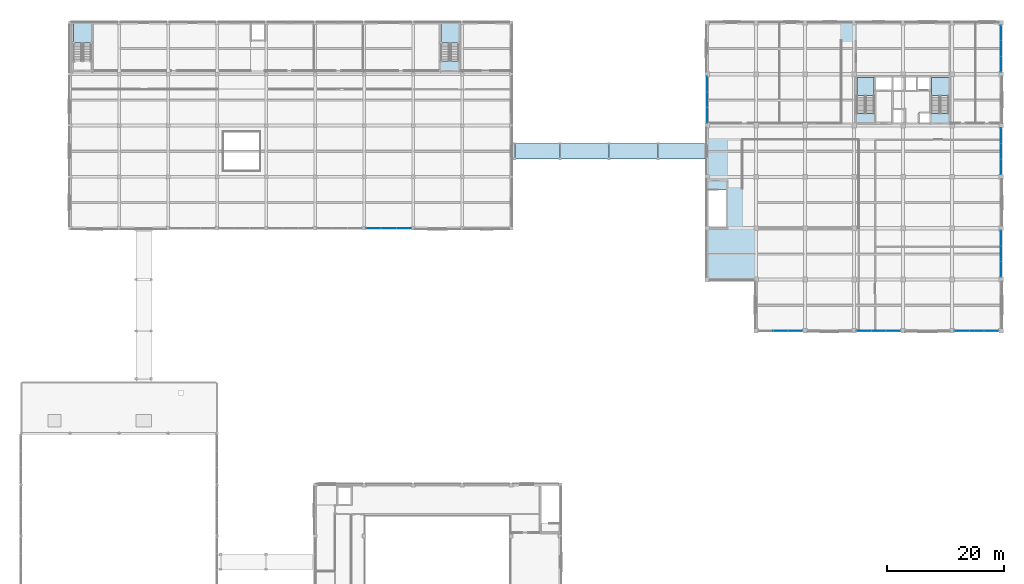
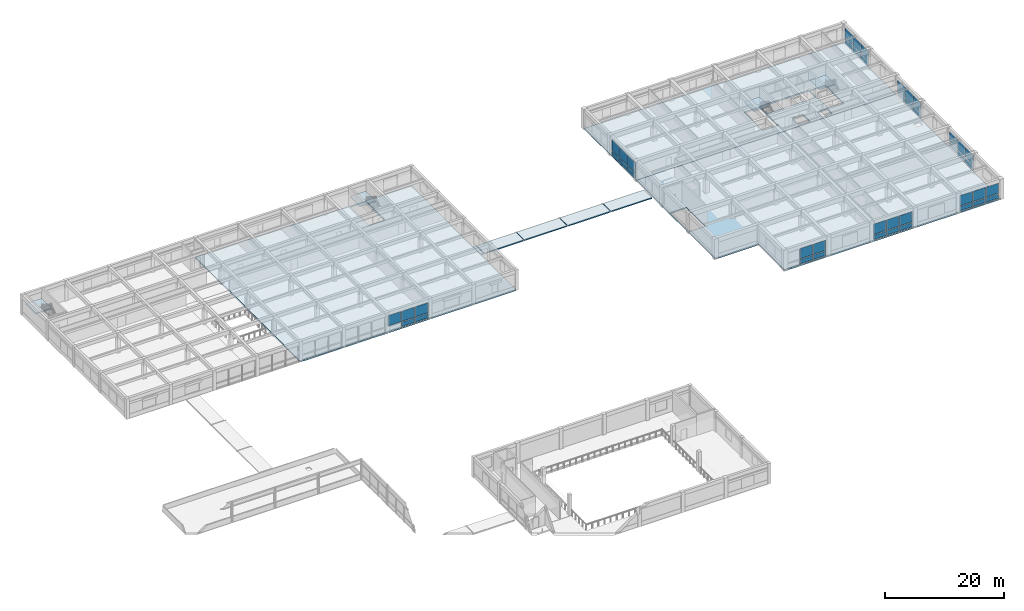
# One storey, part 27 of 46: 45 plates, 12 slabs, 12 elements without a shape of their own.
"""IFC4 building model written with IfcOpenShell, lengths in metres."""

from ifc_helpers import new_model, si_unit, direction, frame, origin, origin_2d, place, context, subcontext, project, spatial, polyline, rectangle, outline, extrude, material, layer, layer_set, type_object, element, aggregate, save


model = new_model("IFC4")

# Units and contexts
model_context = context("Model", 3, precision=1e-05, world=origin(), true_north=direction((0.0, 1.0)))
body_context = subcontext(model_context, "Body", "Model", "MODEL_VIEW")
ifc_project = project(units=[si_unit("LENGTHUNIT", "METRE"), si_unit("AREAUNIT", "SQUARE_METRE"), si_unit("VOLUMEUNIT", "CUBIC_METRE"), si_unit("PLANEANGLEUNIT", "RADIAN"), si_unit("MASSUNIT", "GRAM", prefix="KILO")], contexts=[model_context])

# Site, building, storey
site_placement = place(None, origin())
site = spatial("IfcSite", under=ifc_project, at=site_placement, CompositionType="ELEMENT")
building_placement = place(site_placement, origin())
building = spatial("IfcBuilding", under=site, at=building_placement, Name="Kemercrest Conservatory and Botanical Centre", CompositionType="ELEMENT")
storey_placement = place(building_placement, frame((0.0, 0.0, 9.0)))
storey = spatial("IfcBuildingStorey", under=building, at=storey_placement, Name="L02", CompositionType="ELEMENT", Elevation=9.0)

# Curtain wall, plates
ifc_material_1 = material(Name="Thermally broken aluminium and triple low-e glazing", Category="aluminium")
curtain_wall_type_1 = type_object("IfcCurtainWallType", Name="CW-12", PredefinedType="USERDEFINED", material=ifc_material_1)
curtain_wall_1_placement = place(storey_placement, origin())
curtain_wall_1 = element("IfcCurtainWall", 1, at=curtain_wall_1_placement, inside=storey, type_object=curtain_wall_type_1, Name="Unitised curtain wall CW-12 (CW:L02:V3-041)", ObjectType="UNITISED CURTAIN WALL", PredefinedType="USERDEFINED")
ifc_material_2 = material(Name="Triple low-e argon insulated glazing unit", Category="glass")
ifc_layer_1 = layer(ifc_material_2, 0.035888671875)
ifc_layer_set_1 = layer_set([ifc_layer_1], Name="Triple low-e argon insulated glazing unit")
plate_type = type_object("IfcPlateType", Name="CW-PNL036", PredefinedType="CURTAIN_PANEL", material=ifc_layer_set_1)
plate_1_placement = place(storey_placement, frame((68.412841796875, 87.199951171875, 1.2099609375), z_axis=(0.0, 0.0, 1.0), x_axis=(1.0, 0.0, 0.0)))
plate_1 = element("IfcPlate", 2, at=plate_1_placement, type_object=plate_type, Name="CW-12 panel 1.2", PredefinedType="CURTAIN_PANEL", context=body_context, shape_type="SweptSolid", body=[
    extrude(rectangle(XDim=2.505859375, YDim=0.035888671875, at=origin_2d()), origin(), (0.0, 0.0, 1.0), 2.06494140625),
])
plate_2_placement = place(storey_placement, frame((71.0, 87.199951171875, 0.179931640625), z_axis=(0.0, 0.0, 1.0), x_axis=(1.0, 0.0, 0.0)))
plate_2 = element("IfcPlate", 3, at=plate_2_placement, type_object=plate_type, Name="CW-12 panel 2.1", PredefinedType="CURTAIN_PANEL", context=body_context, shape_type="SweptSolid", body=[
    extrude(rectangle(XDim=2.538330078125, YDim=0.035888671875, at=origin_2d()), origin(), (0.0, 0.0, 1.0), 0.85009765625),
])
plate_3_placement = place(storey_placement, frame((71.0, 87.199951171875, 1.2099609375), z_axis=(0.0, 0.0, 1.0), x_axis=(1.0, 0.0, 0.0)))
plate_3 = element("IfcPlate", 4, at=plate_3_placement, type_object=plate_type, Name="CW-12 panel 2.2", PredefinedType="CURTAIN_PANEL", context=body_context, shape_type="SweptSolid", body=[
    extrude(rectangle(XDim=2.538330078125, YDim=0.035888671875, at=origin_2d()), origin(), (0.0, 0.0, 1.0), 2.06494140625),
])
plate_4_placement = place(storey_placement, frame((73.587158203125, 87.199951171875, 0.179931640625), z_axis=(0.0, 0.0, 1.0), x_axis=(1.0, 0.0, 0.0)))
plate_4 = element("IfcPlate", 5, at=plate_4_placement, type_object=plate_type, Name="CW-12 panel 3.1", PredefinedType="CURTAIN_PANEL", context=body_context, shape_type="SweptSolid", body=[
    extrude(rectangle(XDim=2.505859375, YDim=0.035888671875, at=origin_2d()), origin(), (0.0, 0.0, 1.0), 0.85009765625),
])
plate_5_placement = place(storey_placement, frame((73.587158203125, 87.199951171875, 1.2099609375), z_axis=(0.0, 0.0, 1.0), x_axis=(1.0, 0.0, 0.0)))
plate_5 = element("IfcPlate", 6, at=plate_5_placement, type_object=plate_type, Name="CW-12 panel 3.2", PredefinedType="CURTAIN_PANEL", context=body_context, shape_type="SweptSolid", body=[
    extrude(rectangle(XDim=2.505859375, YDim=0.035888671875, at=origin_2d()), origin(), (0.0, 0.0, 1.0), 2.06494140625),
])
aggregate(curtain_wall_1, [plate_1, plate_2, plate_3, plate_4, plate_5])

curtain_wall_type_2 = type_object("IfcCurtainWallType", Name="CW-26", PredefinedType="USERDEFINED", material=ifc_material_1)
curtain_wall_2_placement = place(storey_placement, origin())
curtain_wall_2 = element("IfcCurtainWall", 7, at=curtain_wall_2_placement, inside=storey, type_object=curtain_wall_type_2, Name="Unitised curtain wall CW-26 (CW:L02:V4-055)", ObjectType="UNITISED CURTAIN WALL", PredefinedType="USERDEFINED")
plate_6_placement = place(storey_placement, frame((138.199951171875, 69.60009765625, 0.179931640625), z_axis=(0.0, 0.0, 1.0), x_axis=(1.0, 0.0, 0.0)))
plate_6 = element("IfcPlate", 8, at=plate_6_placement, type_object=plate_type, Name="CW-26 panel 2.1", PredefinedType="CURTAIN_PANEL", context=body_context, shape_type="SweptSolid", body=[
    extrude(rectangle(XDim=2.4716796875, YDim=0.035888671875, at=origin_2d()), origin(), (0.0, 0.0, 1.0), 0.85009765625),
])
plate_7_placement = place(storey_placement, frame((138.199951171875, 69.60009765625, 1.2099609375), z_axis=(0.0, 0.0, 1.0), x_axis=(1.0, 0.0, 0.0)))
plate_7 = element("IfcPlate", 9, at=plate_7_placement, type_object=plate_type, Name="CW-26 panel 2.2", PredefinedType="CURTAIN_PANEL", context=body_context, shape_type="SweptSolid", body=[
    extrude(rectangle(XDim=2.4716796875, YDim=0.035888671875, at=origin_2d()), origin(), (0.0, 0.0, 1.0), 2.06494140625),
])
plate_8_placement = place(storey_placement, frame((140.720458984375, 69.60009765625, 0.179931640625), z_axis=(0.0, 0.0, 1.0), x_axis=(1.0, 0.0, 0.0)))
plate_8 = element("IfcPlate", 10, at=plate_8_placement, type_object=plate_type, Name="CW-26 panel 3.1", PredefinedType="CURTAIN_PANEL", context=body_context, shape_type="SweptSolid", body=[
    extrude(rectangle(XDim=2.439208984375, YDim=0.035888671875, at=origin_2d()), origin(), (0.0, 0.0, 1.0), 0.85009765625),
])
plate_9_placement = place(storey_placement, frame((140.720458984375, 69.60009765625, 1.2099609375), z_axis=(0.0, 0.0, 1.0), x_axis=(1.0, 0.0, 0.0)))
plate_9 = element("IfcPlate", 11, at=plate_9_placement, type_object=plate_type, Name="CW-26 panel 3.2", PredefinedType="CURTAIN_PANEL", context=body_context, shape_type="SweptSolid", body=[
    extrude(rectangle(XDim=2.439208984375, YDim=0.035888671875, at=origin_2d()), origin(), (0.0, 0.0, 1.0), 2.06494140625),
])
aggregate(curtain_wall_2, [plate_6, plate_7, plate_8, plate_9])

curtain_wall_type_3 = type_object("IfcCurtainWallType", Name="CW-27", PredefinedType="USERDEFINED", material=ifc_material_1)
curtain_wall_3_placement = place(storey_placement, origin())
curtain_wall_3 = element("IfcCurtainWall", 12, at=curtain_wall_3_placement, inside=storey, type_object=curtain_wall_type_3, Name="Unitised curtain wall CW-27 (CW:L02:V4-056)", ObjectType="UNITISED CURTAIN WALL", PredefinedType="USERDEFINED")
plate_10_placement = place(storey_placement, frame((152.4794921875, 69.60009765625, 0.179931640625), z_axis=(0.0, 0.0, 1.0), x_axis=(1.0, 0.0, 0.0)))
plate_10 = element("IfcPlate", 13, at=plate_10_placement, type_object=plate_type, Name="CW-27 panel 1.1", PredefinedType="CURTAIN_PANEL", context=body_context, shape_type="SweptSolid", body=[
    extrude(rectangle(XDim=2.439208984375, YDim=0.035888671875, at=origin_2d()), origin(), (0.0, 0.0, 1.0), 0.85009765625),
])
plate_11_placement = place(storey_placement, frame((152.4794921875, 69.60009765625, 1.2099609375), z_axis=(0.0, 0.0, 1.0), x_axis=(1.0, 0.0, 0.0)))
plate_11 = element("IfcPlate", 14, at=plate_11_placement, type_object=plate_type, Name="CW-27 panel 1.2", PredefinedType="CURTAIN_PANEL", context=body_context, shape_type="SweptSolid", body=[
    extrude(rectangle(XDim=2.439208984375, YDim=0.035888671875, at=origin_2d()), origin(), (0.0, 0.0, 1.0), 2.06494140625),
])
plate_12_placement = place(storey_placement, frame((155.0, 69.60009765625, 0.179931640625), z_axis=(0.0, 0.0, 1.0), x_axis=(1.0, 0.0, 0.0)))
plate_12 = element("IfcPlate", 15, at=plate_12_placement, type_object=plate_type, Name="CW-27 panel 2.1", PredefinedType="CURTAIN_PANEL", context=body_context, shape_type="SweptSolid", body=[
    extrude(rectangle(XDim=2.4716796875, YDim=0.035888671875, at=origin_2d()), origin(), (0.0, 0.0, 1.0), 0.85009765625),
])
plate_13_placement = place(storey_placement, frame((155.0, 69.60009765625, 1.2099609375), z_axis=(0.0, 0.0, 1.0), x_axis=(1.0, 0.0, 0.0)))
plate_13 = element("IfcPlate", 16, at=plate_13_placement, type_object=plate_type, Name="CW-27 panel 2.2", PredefinedType="CURTAIN_PANEL", context=body_context, shape_type="SweptSolid", body=[
    extrude(rectangle(XDim=2.4716796875, YDim=0.035888671875, at=origin_2d()), origin(), (0.0, 0.0, 1.0), 2.06494140625),
])
plate_14_placement = place(storey_placement, frame((157.5205078125, 69.60009765625, 0.179931640625), z_axis=(0.0, 0.0, 1.0), x_axis=(1.0, 0.0, 0.0)))
plate_14 = element("IfcPlate", 17, at=plate_14_placement, type_object=plate_type, Name="CW-27 panel 3.1", PredefinedType="CURTAIN_PANEL", context=body_context, shape_type="SweptSolid", body=[
    extrude(rectangle(XDim=2.439208984375, YDim=0.035888671875, at=origin_2d()), origin(), (0.0, 0.0, 1.0), 0.85009765625),
])
plate_15_placement = place(storey_placement, frame((157.5205078125, 69.60009765625, 1.2099609375), z_axis=(0.0, 0.0, 1.0), x_axis=(1.0, 0.0, 0.0)))
plate_15 = element("IfcPlate", 18, at=plate_15_placement, type_object=plate_type, Name="CW-27 panel 3.2", PredefinedType="CURTAIN_PANEL", context=body_context, shape_type="SweptSolid", body=[
    extrude(rectangle(XDim=2.439208984375, YDim=0.035888671875, at=origin_2d()), origin(), (0.0, 0.0, 1.0), 2.06494140625),
])
aggregate(curtain_wall_3, [plate_10, plate_11, plate_12, plate_13, plate_14, plate_15])

curtain_wall_type_4 = type_object("IfcCurtainWallType", Name="CW-28", PredefinedType="USERDEFINED", material=ifc_material_1)
curtain_wall_4_placement = place(storey_placement, origin())
curtain_wall_4 = element("IfcCurtainWall", 19, at=curtain_wall_4_placement, inside=storey, type_object=curtain_wall_type_4, Name="Unitised curtain wall CW-28 (CW:L02:V4-057)", ObjectType="UNITISED CURTAIN WALL", PredefinedType="USERDEFINED")
plate_16_placement = place(storey_placement, frame((169.279541015625, 69.60009765625, 0.179931640625), z_axis=(0.0, 0.0, 1.0), x_axis=(1.0, 0.0, 0.0)))
plate_16 = element("IfcPlate", 20, at=plate_16_placement, type_object=plate_type, Name="CW-28 panel 1.1", PredefinedType="CURTAIN_PANEL", context=body_context, shape_type="SweptSolid", body=[
    extrude(rectangle(XDim=2.439208984375, YDim=0.035888671875, at=origin_2d()), origin(), (0.0, 0.0, 1.0), 0.85009765625),
])
plate_17_placement = place(storey_placement, frame((169.279541015625, 69.60009765625, 1.2099609375), z_axis=(0.0, 0.0, 1.0), x_axis=(1.0, 0.0, 0.0)))
plate_17 = element("IfcPlate", 21, at=plate_17_placement, type_object=plate_type, Name="CW-28 panel 1.2", PredefinedType="CURTAIN_PANEL", context=body_context, shape_type="SweptSolid", body=[
    extrude(rectangle(XDim=2.439208984375, YDim=0.035888671875, at=origin_2d()), origin(), (0.0, 0.0, 1.0), 2.06494140625),
])
plate_18_placement = place(storey_placement, frame((171.800048828125, 69.60009765625, 0.179931640625), z_axis=(0.0, 0.0, 1.0), x_axis=(1.0, 0.0, 0.0)))
plate_18 = element("IfcPlate", 22, at=plate_18_placement, type_object=plate_type, Name="CW-28 panel 2.1", PredefinedType="CURTAIN_PANEL", context=body_context, shape_type="SweptSolid", body=[
    extrude(rectangle(XDim=2.4716796875, YDim=0.035888671875, at=origin_2d()), origin(), (0.0, 0.0, 1.0), 0.85009765625),
])
plate_19_placement = place(storey_placement, frame((171.800048828125, 69.60009765625, 1.2099609375), z_axis=(0.0, 0.0, 1.0), x_axis=(1.0, 0.0, 0.0)))
plate_19 = element("IfcPlate", 23, at=plate_19_placement, type_object=plate_type, Name="CW-28 panel 2.2", PredefinedType="CURTAIN_PANEL", context=body_context, shape_type="SweptSolid", body=[
    extrude(rectangle(XDim=2.4716796875, YDim=0.035888671875, at=origin_2d()), origin(), (0.0, 0.0, 1.0), 2.06494140625),
])
plate_20_placement = place(storey_placement, frame((174.3203125, 69.60009765625, 0.179931640625), z_axis=(0.0, 0.0, 1.0), x_axis=(1.0, 0.0, 0.0)))
plate_20 = element("IfcPlate", 24, at=plate_20_placement, type_object=plate_type, Name="CW-28 panel 3.1", PredefinedType="CURTAIN_PANEL", context=body_context, shape_type="SweptSolid", body=[
    extrude(rectangle(XDim=2.439208984375, YDim=0.035888671875, at=origin_2d()), origin(), (0.0, 0.0, 1.0), 0.85009765625),
])
plate_21_placement = place(storey_placement, frame((174.3203125, 69.60009765625, 1.2099609375), z_axis=(0.0, 0.0, 1.0), x_axis=(1.0, 0.0, 0.0)))
plate_21 = element("IfcPlate", 25, at=plate_21_placement, type_object=plate_type, Name="CW-28 panel 3.2", PredefinedType="CURTAIN_PANEL", context=body_context, shape_type="SweptSolid", body=[
    extrude(rectangle(XDim=2.439208984375, YDim=0.035888671875, at=origin_2d()), origin(), (0.0, 0.0, 1.0), 2.06494140625),
])
aggregate(curtain_wall_4, [plate_16, plate_17, plate_18, plate_19, plate_20, plate_21])

curtain_wall_type_5 = type_object("IfcCurtainWallType", Name="CW-29", PredefinedType="USERDEFINED", material=ifc_material_1)
curtain_wall_5_placement = place(storey_placement, origin())
curtain_wall_5 = element("IfcCurtainWall", 26, at=curtain_wall_5_placement, inside=storey, type_object=curtain_wall_type_5, Name="Unitised curtain wall CW-29 (CW:L02:V4-058)", ObjectType="UNITISED CURTAIN WALL", PredefinedType="USERDEFINED")
plate_22_placement = place(storey_placement, frame((176.0, 80.146240234375, 0.179931640625), z_axis=(0.0, 0.0, 1.0), x_axis=(0.0, 1.0, 0.0)))
plate_22 = element("IfcPlate", 27, at=plate_22_placement, type_object=plate_type, Name="CW-29 panel 1.1", PredefinedType="CURTAIN_PANEL", context=body_context, shape_type="SweptSolid", body=[
    extrude(rectangle(XDim=2.572509765625, YDim=0.035888671875, at=origin_2d()), origin(), (0.0, 0.0, 1.0), 0.85009765625),
])
plate_23_placement = place(storey_placement, frame((176.0, 80.146240234375, 1.2099609375), z_axis=(0.0, 0.0, 1.0), x_axis=(0.0, 1.0, 0.0)))
plate_23 = element("IfcPlate", 28, at=plate_23_placement, type_object=plate_type, Name="CW-29 panel 1.2", PredefinedType="CURTAIN_PANEL", context=body_context, shape_type="SweptSolid", body=[
    extrude(rectangle(XDim=2.572509765625, YDim=0.035888671875, at=origin_2d()), origin(), (0.0, 0.0, 1.0), 2.06494140625),
])
plate_24_placement = place(storey_placement, frame((176.0, 82.800048828125, 0.179931640625), z_axis=(0.0, 0.0, 1.0), x_axis=(0.0, 1.0, 0.0)))
plate_24 = element("IfcPlate", 29, at=plate_24_placement, type_object=plate_type, Name="CW-29 panel 2.1", PredefinedType="CURTAIN_PANEL", context=body_context, shape_type="SweptSolid", body=[
    extrude(rectangle(XDim=2.60498046875, YDim=0.035888671875, at=origin_2d()), origin(), (0.0, 0.0, 1.0), 0.85009765625),
])
plate_25_placement = place(storey_placement, frame((176.0, 82.800048828125, 1.2099609375), z_axis=(0.0, 0.0, 1.0), x_axis=(0.0, 1.0, 0.0)))
plate_25 = element("IfcPlate", 30, at=plate_25_placement, type_object=plate_type, Name="CW-29 panel 2.2", PredefinedType="CURTAIN_PANEL", context=body_context, shape_type="SweptSolid", body=[
    extrude(rectangle(XDim=2.60498046875, YDim=0.035888671875, at=origin_2d()), origin(), (0.0, 0.0, 1.0), 2.06494140625),
])
plate_26_placement = place(storey_placement, frame((176.0, 85.453857421875, 0.179931640625), z_axis=(0.0, 0.0, 1.0), x_axis=(0.0, 1.0, 0.0)))
plate_26 = element("IfcPlate", 31, at=plate_26_placement, type_object=plate_type, Name="CW-29 panel 3.1", PredefinedType="CURTAIN_PANEL", context=body_context, shape_type="SweptSolid", body=[
    extrude(rectangle(XDim=2.572509765625, YDim=0.035888671875, at=origin_2d()), origin(), (0.0, 0.0, 1.0), 0.85009765625),
])
plate_27_placement = place(storey_placement, frame((176.0, 85.453857421875, 1.2099609375), z_axis=(0.0, 0.0, 1.0), x_axis=(0.0, 1.0, 0.0)))
plate_27 = element("IfcPlate", 32, at=plate_27_placement, type_object=plate_type, Name="CW-29 panel 3.2", PredefinedType="CURTAIN_PANEL", context=body_context, shape_type="SweptSolid", body=[
    extrude(rectangle(XDim=2.572509765625, YDim=0.035888671875, at=origin_2d()), origin(), (0.0, 0.0, 1.0), 2.06494140625),
])
aggregate(curtain_wall_5, [plate_22, plate_23, plate_24, plate_25, plate_26, plate_27])

curtain_wall_type_6 = type_object("IfcCurtainWallType", Name="CW-30", PredefinedType="USERDEFINED", material=ifc_material_1)
curtain_wall_6_placement = place(storey_placement, origin())
curtain_wall_6 = element("IfcCurtainWall", 33, at=curtain_wall_6_placement, inside=storey, type_object=curtain_wall_type_6, Name="Unitised curtain wall CW-30 (CW:L02:V4-059)", ObjectType="UNITISED CURTAIN WALL", PredefinedType="USERDEFINED")
plate_28_placement = place(storey_placement, frame((176.0, 97.746337890625, 0.179931640625), z_axis=(0.0, 0.0, 1.0), x_axis=(0.0, 1.0, 0.0)))
plate_28 = element("IfcPlate", 34, at=plate_28_placement, type_object=plate_type, Name="CW-30 panel 1.1", PredefinedType="CURTAIN_PANEL", context=body_context, shape_type="SweptSolid", body=[
    extrude(rectangle(XDim=2.572509765625, YDim=0.035888671875, at=origin_2d()), origin(), (0.0, 0.0, 1.0), 0.85009765625),
])
plate_29_placement = place(storey_placement, frame((176.0, 97.746337890625, 1.2099609375), z_axis=(0.0, 0.0, 1.0), x_axis=(0.0, 1.0, 0.0)))
plate_29 = element("IfcPlate", 35, at=plate_29_placement, type_object=plate_type, Name="CW-30 panel 1.2", PredefinedType="CURTAIN_PANEL", context=body_context, shape_type="SweptSolid", body=[
    extrude(rectangle(XDim=2.572509765625, YDim=0.035888671875, at=origin_2d()), origin(), (0.0, 0.0, 1.0), 2.06494140625),
])
plate_30_placement = place(storey_placement, frame((176.0, 100.39990234375, 0.179931640625), z_axis=(0.0, 0.0, 1.0), x_axis=(0.0, 1.0, 0.0)))
plate_30 = element("IfcPlate", 36, at=plate_30_placement, type_object=plate_type, Name="CW-30 panel 2.1", PredefinedType="CURTAIN_PANEL", context=body_context, shape_type="SweptSolid", body=[
    extrude(rectangle(XDim=2.60498046875, YDim=0.035888671875, at=origin_2d()), origin(), (0.0, 0.0, 1.0), 0.85009765625),
])
plate_31_placement = place(storey_placement, frame((176.0, 100.39990234375, 1.2099609375), z_axis=(0.0, 0.0, 1.0), x_axis=(0.0, 1.0, 0.0)))
plate_31 = element("IfcPlate", 37, at=plate_31_placement, type_object=plate_type, Name="CW-30 panel 2.2", PredefinedType="CURTAIN_PANEL", context=body_context, shape_type="SweptSolid", body=[
    extrude(rectangle(XDim=2.60498046875, YDim=0.035888671875, at=origin_2d()), origin(), (0.0, 0.0, 1.0), 2.06494140625),
])
plate_32_placement = place(storey_placement, frame((176.0, 103.0537109375, 0.179931640625), z_axis=(0.0, 0.0, 1.0), x_axis=(0.0, 1.0, 0.0)))
plate_32 = element("IfcPlate", 38, at=plate_32_placement, type_object=plate_type, Name="CW-30 panel 3.1", PredefinedType="CURTAIN_PANEL", context=body_context, shape_type="SweptSolid", body=[
    extrude(rectangle(XDim=2.572509765625, YDim=0.035888671875, at=origin_2d()), origin(), (0.0, 0.0, 1.0), 0.85009765625),
])
plate_33_placement = place(storey_placement, frame((176.0, 103.0537109375, 1.2099609375), z_axis=(0.0, 0.0, 1.0), x_axis=(0.0, 1.0, 0.0)))
plate_33 = element("IfcPlate", 39, at=plate_33_placement, type_object=plate_type, Name="CW-30 panel 3.2", PredefinedType="CURTAIN_PANEL", context=body_context, shape_type="SweptSolid", body=[
    extrude(rectangle(XDim=2.572509765625, YDim=0.035888671875, at=origin_2d()), origin(), (0.0, 0.0, 1.0), 2.06494140625),
])
aggregate(curtain_wall_6, [plate_28, plate_29, plate_30, plate_31, plate_32, plate_33])

curtain_wall_type_7 = type_object("IfcCurtainWallType", Name="CW-01", PredefinedType="USERDEFINED", material=ifc_material_1)
curtain_wall_7_placement = place(storey_placement, origin())
curtain_wall_7 = element("IfcCurtainWall", 40, at=curtain_wall_7_placement, inside=storey, type_object=curtain_wall_type_7, Name="Unitised curtain wall CW-01 (CW:L02:V4-060)", ObjectType="UNITISED CURTAIN WALL", PredefinedType="USERDEFINED")
plate_34_placement = place(storey_placement, frame((176.0, 115.34619140625, 0.179931640625), z_axis=(0.0, 0.0, 1.0), x_axis=(0.0, 1.0, 0.0)))
plate_34 = element("IfcPlate", 41, at=plate_34_placement, type_object=plate_type, Name="CW-01 panel 1.1", PredefinedType="CURTAIN_PANEL", context=body_context, shape_type="SweptSolid", body=[
    extrude(rectangle(XDim=2.572509765625, YDim=0.035888671875, at=origin_2d()), origin(), (0.0, 0.0, 1.0), 0.85009765625),
])
plate_35_placement = place(storey_placement, frame((176.0, 115.34619140625, 1.2099609375), z_axis=(0.0, 0.0, 1.0), x_axis=(0.0, 1.0, 0.0)))
plate_35 = element("IfcPlate", 42, at=plate_35_placement, type_object=plate_type, Name="CW-01 panel 1.2", PredefinedType="CURTAIN_PANEL", context=body_context, shape_type="SweptSolid", body=[
    extrude(rectangle(XDim=2.572509765625, YDim=0.035888671875, at=origin_2d()), origin(), (0.0, 0.0, 1.0), 2.06494140625),
])
plate_36_placement = place(storey_placement, frame((176.0, 118.0, 0.179931640625), z_axis=(0.0, 0.0, 1.0), x_axis=(0.0, 1.0, 0.0)))
plate_36 = element("IfcPlate", 43, at=plate_36_placement, type_object=plate_type, Name="CW-01 panel 2.1", PredefinedType="CURTAIN_PANEL", context=body_context, shape_type="SweptSolid", body=[
    extrude(rectangle(XDim=2.60498046875, YDim=0.035888671875, at=origin_2d()), origin(), (0.0, 0.0, 1.0), 0.85009765625),
])
plate_37_placement = place(storey_placement, frame((176.0, 118.0, 1.2099609375), z_axis=(0.0, 0.0, 1.0), x_axis=(0.0, 1.0, 0.0)))
plate_37 = element("IfcPlate", 44, at=plate_37_placement, type_object=plate_type, Name="CW-01 panel 2.2", PredefinedType="CURTAIN_PANEL", context=body_context, shape_type="SweptSolid", body=[
    extrude(rectangle(XDim=2.60498046875, YDim=0.035888671875, at=origin_2d()), origin(), (0.0, 0.0, 1.0), 2.06494140625),
])
plate_38_placement = place(storey_placement, frame((176.0, 120.65380859375, 0.179931640625), z_axis=(0.0, 0.0, 1.0), x_axis=(0.0, 1.0, 0.0)))
plate_38 = element("IfcPlate", 45, at=plate_38_placement, type_object=plate_type, Name="CW-01 panel 3.1", PredefinedType="CURTAIN_PANEL", context=body_context, shape_type="SweptSolid", body=[
    extrude(rectangle(XDim=2.572509765625, YDim=0.035888671875, at=origin_2d()), origin(), (0.0, 0.0, 1.0), 0.85009765625),
])
plate_39_placement = place(storey_placement, frame((176.0, 120.65380859375, 1.2099609375), z_axis=(0.0, 0.0, 1.0), x_axis=(0.0, 1.0, 0.0)))
plate_39 = element("IfcPlate", 46, at=plate_39_placement, type_object=plate_type, Name="CW-01 panel 3.2", PredefinedType="CURTAIN_PANEL", context=body_context, shape_type="SweptSolid", body=[
    extrude(rectangle(XDim=2.572509765625, YDim=0.035888671875, at=origin_2d()), origin(), (0.0, 0.0, 1.0), 2.06494140625),
])
aggregate(curtain_wall_7, [plate_34, plate_35, plate_36, plate_37, plate_38, plate_39])

curtain_wall_type_8 = type_object("IfcCurtainWallType", Name="CW-02", PredefinedType="USERDEFINED", material=ifc_material_1)
curtain_wall_8_placement = place(storey_placement, origin())
curtain_wall_8 = element("IfcCurtainWall", 47, at=curtain_wall_8_placement, inside=storey, type_object=curtain_wall_type_8, Name="Unitised curtain wall CW-02 (CW:L02:V4-061)", ObjectType="UNITISED CURTAIN WALL", PredefinedType="USERDEFINED")
plate_40_placement = place(storey_placement, frame((125.60009765625, 111.853759765625, 0.179931640625), z_axis=(0.0, 0.0, 1.0), x_axis=(0.0, -1.0, 0.0)))
plate_40 = element("IfcPlate", 48, at=plate_40_placement, type_object=plate_type, Name="CW-02 panel 1.1", PredefinedType="CURTAIN_PANEL", context=body_context, shape_type="SweptSolid", body=[
    extrude(rectangle(XDim=2.572509765625, YDim=0.035888671875, at=origin_2d()), origin(), (0.0, 0.0, 1.0), 0.85009765625),
])
plate_41_placement = place(storey_placement, frame((125.60009765625, 111.853759765625, 1.2099609375), z_axis=(0.0, 0.0, 1.0), x_axis=(0.0, -1.0, 0.0)))
plate_41 = element("IfcPlate", 49, at=plate_41_placement, type_object=plate_type, Name="CW-02 panel 1.2", PredefinedType="CURTAIN_PANEL", context=body_context, shape_type="SweptSolid", body=[
    extrude(rectangle(XDim=2.572509765625, YDim=0.035888671875, at=origin_2d()), origin(), (0.0, 0.0, 1.0), 2.06494140625),
])
plate_42_placement = place(storey_placement, frame((125.60009765625, 109.199951171875, 0.179931640625), z_axis=(0.0, 0.0, 1.0), x_axis=(0.0, -1.0, 0.0)))
plate_42 = element("IfcPlate", 50, at=plate_42_placement, type_object=plate_type, Name="CW-02 panel 2.1", PredefinedType="CURTAIN_PANEL", context=body_context, shape_type="SweptSolid", body=[
    extrude(rectangle(XDim=2.60498046875, YDim=0.035888671875, at=origin_2d()), origin(), (0.0, 0.0, 1.0), 0.85009765625),
])
plate_43_placement = place(storey_placement, frame((125.60009765625, 109.199951171875, 1.2099609375), z_axis=(0.0, 0.0, 1.0), x_axis=(0.0, -1.0, 0.0)))
plate_43 = element("IfcPlate", 51, at=plate_43_placement, type_object=plate_type, Name="CW-02 panel 2.2", PredefinedType="CURTAIN_PANEL", context=body_context, shape_type="SweptSolid", body=[
    extrude(rectangle(XDim=2.60498046875, YDim=0.035888671875, at=origin_2d()), origin(), (0.0, 0.0, 1.0), 2.06494140625),
])
plate_44_placement = place(storey_placement, frame((125.60009765625, 106.546142578125, 0.179931640625), z_axis=(0.0, 0.0, 1.0), x_axis=(0.0, -1.0, 0.0)))
plate_44 = element("IfcPlate", 52, at=plate_44_placement, type_object=plate_type, Name="CW-02 panel 3.1", PredefinedType="CURTAIN_PANEL", context=body_context, shape_type="SweptSolid", body=[
    extrude(rectangle(XDim=2.572509765625, YDim=0.035888671875, at=origin_2d()), origin(), (0.0, 0.0, 1.0), 0.85009765625),
])
plate_45_placement = place(storey_placement, frame((125.60009765625, 106.546142578125, 1.2099609375), z_axis=(0.0, 0.0, 1.0), x_axis=(0.0, -1.0, 0.0)))
plate_45 = element("IfcPlate", 53, at=plate_45_placement, type_object=plate_type, Name="CW-02 panel 3.2", PredefinedType="CURTAIN_PANEL", context=body_context, shape_type="SweptSolid", body=[
    extrude(rectangle(XDim=2.572509765625, YDim=0.035888671875, at=origin_2d()), origin(), (0.0, 0.0, 1.0), 2.06494140625),
])
aggregate(curtain_wall_8, [plate_40, plate_41, plate_42, plate_43, plate_44, plate_45])

# Slabs
ifc_material_3 = material(Name="Concrete C40/50", Category="concrete")
ifc_layer_2 = layer(ifc_material_3, 0.280029296875)
ifc_layer_set_2 = layer_set([ifc_layer_2], Name="Concrete C40/50")
slab_type_1 = type_object("IfcSlabType", Name="SL-FL280", PredefinedType="FLOOR", material=ifc_layer_set_2)
slab_1_placement = place(storey_placement, frame((0.0, 0.0, -0.280029296875)))
element("IfcSlab", 54, at=slab_1_placement, inside=storey, type_object=slab_type_1, Name="V3 Visitor and Education Centre L02 E Floor Slab", PredefinedType="FLOOR", context=body_context, shape_type="SweptSolid", body=[
    extrude(outline(polyline([(50.0, 122.39990234375), (50.0, 87.199951171875), (92.0, 87.199951171875), (92.0, 122.39990234375), (50.0, 122.39990234375)]), holes=[polyline([(83.0400390625, 122.260009765625), (83.0400390625, 115.864990234375), (79.9599609375, 115.864990234375), (79.9599609375, 122.260009765625), (83.0400390625, 122.260009765625)])]), origin(), (0.0, 0.0, 1.0), 0.280029296875),
])
slab_2_placement = place(storey_placement, frame((0.0, 0.0, -0.280029296875)))
element("IfcSlab", 55, at=slab_2_placement, inside=storey, type_object=slab_type_1, Name="V4 Tower L02 North Core and Studio Slab", PredefinedType="FLOOR", context=body_context, shape_type="SweptSolid", body=[
    extrude(outline(polyline([(125.60009765625, 122.39990234375), (125.60009765625, 104.800048828125), (176.0, 104.800048828125), (176.0, 122.39990234375), (125.60009765625, 122.39990234375)]), holes=[polyline([(164.06005859375, 106.864990234375), (164.06005859375, 113.06005859375), (167.0400390625, 113.06005859375), (167.0400390625, 106.864990234375), (164.06005859375, 106.864990234375)]), polyline([(154.39990234375, 110.800048828125), (154.39990234375, 113.199951171875), (163.89990234375, 113.199951171875), (163.89990234375, 110.800048828125), (154.39990234375, 110.800048828125)]), polyline([(161.949951171875, 105.25), (161.949951171875, 106.949951171875), (163.85009765625, 106.949951171875), (163.85009765625, 105.25), (161.949951171875, 105.25)]), polyline([(157.39990234375, 105.199951171875), (157.39990234375, 107.60009765625), (159.5, 107.60009765625), (159.5, 105.199951171875), (157.39990234375, 105.199951171875)]), polyline([(154.239990234375, 106.864990234375), (151.260009765625, 106.864990234375), (151.260009765625, 113.06005859375), (154.239990234375, 113.06005859375), (154.239990234375, 106.864990234375)])]), origin(), (0.0, 0.0, 1.0), 0.280029296875),
])
slab_3_placement = place(storey_placement, frame((0.0, 0.0, -0.280029296875)))
element("IfcSlab", 56, at=slab_3_placement, inside=storey, type_object=slab_type_1, Name="V4 Tower L02 South Laboratory Slab", PredefinedType="FLOOR", context=body_context, shape_type="SweptSolid", body=[
    extrude(outline(polyline([(134.0, 78.39990234375), (134.0, 69.60009765625), (176.0, 69.60009765625), (176.0, 104.800048828125), (125.60009765625, 104.800048828125), (125.60009765625, 78.39990234375), (134.0, 78.39990234375)]), holes=[polyline([(174.199951171875, 95.800048828125), (175.39990234375, 95.800048828125), (175.39990234375, 94.800048828125), (174.199951171875, 94.800048828125), (174.199951171875, 95.800048828125)]), polyline([(128.840087890625, 93.735107421875), (128.840087890625, 87.340087890625), (125.760009765625, 87.340087890625), (125.760009765625, 93.735107421875), (128.840087890625, 93.735107421875)])]), origin(), (0.0, 0.0, 1.0), 0.280029296875),
])

# Stair, slab
stair_type_1 = type_object("IfcStairType", Name="ST-140-42", PredefinedType="HALF_TURN_STAIR", material=ifc_material_3)
stair_1_placement = place(storey_placement, origin())
stair_1 = element("IfcStair", 57, at=stair_1_placement, inside=storey, type_object=stair_type_1, Name="L02 Exit stair ST-V3A", PredefinedType="HALF_TURN_STAIR")
ifc_layer_3 = layer(ifc_material_3, 0.199951171875)
ifc_layer_set_3 = layer_set([ifc_layer_3], Name="Concrete C40/50")
slab_type_2 = type_object("IfcSlabType", Name="SL-LND200", PredefinedType="LANDING", material=ifc_layer_set_3)
slab_4_placement = place(storey_placement, frame((0.0, 0.0, 1.89990234375)))
slab_4 = element("IfcSlab", 58, at=slab_4_placement, type_object=slab_type_2, Name="ST-V3A landing 1", PredefinedType="LANDING", context=body_context, shape_type="SweptSolid", body=[
    extrude(outline(polyline([(20.0400390625, 118.919921875), (20.0400390625, 122.260009765625), (16.9599609375, 122.260009765625), (16.9599609375, 118.919921875), (20.0400390625, 118.919921875)])), origin(), (0.0, 0.0, 1.0), 0.2001953125),
])
aggregate(stair_1, [slab_4])

stair_2_placement = place(storey_placement, origin())
stair_2 = element("IfcStair", 59, at=stair_2_placement, inside=storey, type_object=stair_type_1, Name="L02 Exit stair ST-V3B", PredefinedType="HALF_TURN_STAIR")
slab_5_placement = place(storey_placement, frame((0.0, 0.0, 1.89990234375)))
slab_5 = element("IfcSlab", 60, at=slab_5_placement, type_object=slab_type_2, Name="ST-V3B landing 1", PredefinedType="LANDING", context=body_context, shape_type="SweptSolid", body=[
    extrude(outline(polyline([(83.0400390625, 118.919921875), (83.0400390625, 122.260009765625), (79.9599609375, 122.260009765625), (79.9599609375, 118.919921875), (83.0400390625, 118.919921875)])), origin(), (0.0, 0.0, 1.0), 0.2001953125),
])
aggregate(stair_2, [slab_5])

stair_type_2 = type_object("IfcStairType", Name="ST-142-42", PredefinedType="HALF_TURN_STAIR", material=ifc_material_3)
stair_3_placement = place(storey_placement, origin())
stair_3 = element("IfcStair", 61, at=stair_3_placement, inside=storey, type_object=stair_type_2, Name="L02 Exit stair ST-V4A", PredefinedType="HALF_TURN_STAIR")
slab_6_placement = place(storey_placement, frame((0.0, 0.0, 1.89990234375)))
slab_6 = element("IfcSlab", 62, at=slab_6_placement, type_object=slab_type_2, Name="ST-V4A landing 1", PredefinedType="LANDING", context=body_context, shape_type="SweptSolid", body=[
    extrude(outline(polyline([(154.239990234375, 109.919921875), (154.239990234375, 113.06005859375), (151.260009765625, 113.06005859375), (151.260009765625, 109.919921875), (154.239990234375, 109.919921875)])), origin(), (0.0, 0.0, 1.0), 0.2001953125),
])
aggregate(stair_3, [slab_6])

stair_4_placement = place(storey_placement, origin())
stair_4 = element("IfcStair", 63, at=stair_4_placement, inside=storey, type_object=stair_type_2, Name="L02 Exit stair ST-V4B", PredefinedType="HALF_TURN_STAIR")
slab_7_placement = place(storey_placement, frame((0.0, 0.0, 1.89990234375)))
slab_7 = element("IfcSlab", 64, at=slab_7_placement, type_object=slab_type_2, Name="ST-V4B landing 1", PredefinedType="LANDING", context=body_context, shape_type="SweptSolid", body=[
    extrude(outline(polyline([(167.0400390625, 109.919921875), (167.0400390625, 113.06005859375), (164.06005859375, 113.06005859375), (164.06005859375, 109.919921875), (167.0400390625, 109.919921875)])), origin(), (0.0, 0.0, 1.0), 0.2001953125),
])
aggregate(stair_4, [slab_7])

# Slabs
ifc_layer_4 = layer(ifc_material_3, 0.22998046875)
ifc_layer_set_4 = layer_set([ifc_layer_4], Name="Concrete C40/50")
slab_type_3 = type_object("IfcSlabType", Name="SL-RF230", PredefinedType="ROOF", material=ifc_layer_set_4)
slab_8_placement = place(storey_placement, frame((0.0, 0.0, -0.22998046875)))
element("IfcSlab", 65, at=slab_8_placement, inside=storey, type_object=slab_type_3, Name="North Courtyard Covered Passage SJ-3 L02 span 1 slab", PredefinedType="ROOF", context=body_context, shape_type="SweptSolid", body=[
    extrude(outline(polyline([(92.0, 99.10009765625), (92.5400390625, 99.10009765625), (92.5400390625, 101.699951171875), (92.0, 101.699951171875), (92.0, 99.10009765625)])), origin(), (0.0, 0.0, 1.0), 0.22998046875),
])
slab_9_placement = place(storey_placement, frame((0.0, 0.0, -0.22998046875)))
element("IfcSlab", 66, at=slab_9_placement, inside=storey, type_object=slab_type_3, Name="North Courtyard Covered Passage SJ-3 L02 span 2 slab", PredefinedType="ROOF", context=body_context, shape_type="SweptSolid", body=[
    extrude(outline(polyline([(92.659912109375, 99.10009765625), (100.340087890625, 99.10009765625), (100.340087890625, 101.699951171875), (92.659912109375, 101.699951171875), (92.659912109375, 99.10009765625)])), origin(), (0.0, 0.0, 1.0), 0.22998046875),
])
slab_10_placement = place(storey_placement, frame((0.0, 0.0, -0.22998046875)))
element("IfcSlab", 67, at=slab_10_placement, inside=storey, type_object=slab_type_3, Name="North Courtyard Covered Passage SJ-3 L02 span 3 slab", PredefinedType="ROOF", context=body_context, shape_type="SweptSolid", body=[
    extrude(outline(polyline([(100.4599609375, 99.10009765625), (108.739990234375, 99.10009765625), (108.739990234375, 101.699951171875), (100.4599609375, 101.699951171875), (100.4599609375, 99.10009765625)])), origin(), (0.0, 0.0, 1.0), 0.22998046875),
])
slab_11_placement = place(storey_placement, frame((0.0, 0.0, -0.22998046875)))
element("IfcSlab", 68, at=slab_11_placement, inside=storey, type_object=slab_type_3, Name="North Courtyard Covered Passage SJ-3 L02 span 4 slab", PredefinedType="ROOF", context=body_context, shape_type="SweptSolid", body=[
    extrude(outline(polyline([(108.860107421875, 99.10009765625), (117.139892578125, 99.10009765625), (117.139892578125, 101.699951171875), (108.860107421875, 101.699951171875), (108.860107421875, 99.10009765625)])), origin(), (0.0, 0.0, 1.0), 0.22998046875),
])
slab_12_placement = place(storey_placement, frame((0.0, 0.0, -0.22998046875)))
element("IfcSlab", 69, at=slab_12_placement, inside=storey, type_object=slab_type_3, Name="North Courtyard Covered Passage SJ-3 L02 span 5 slab", PredefinedType="ROOF", context=body_context, shape_type="SweptSolid", body=[
    extrude(outline(polyline([(117.260009765625, 99.10009765625), (125.25, 99.10009765625), (125.25, 101.699951171875), (117.260009765625, 101.699951171875), (117.260009765625, 99.10009765625)])), origin(), (0.0, 0.0, 1.0), 0.22998046875),
])

save(model, "model.ifc")
